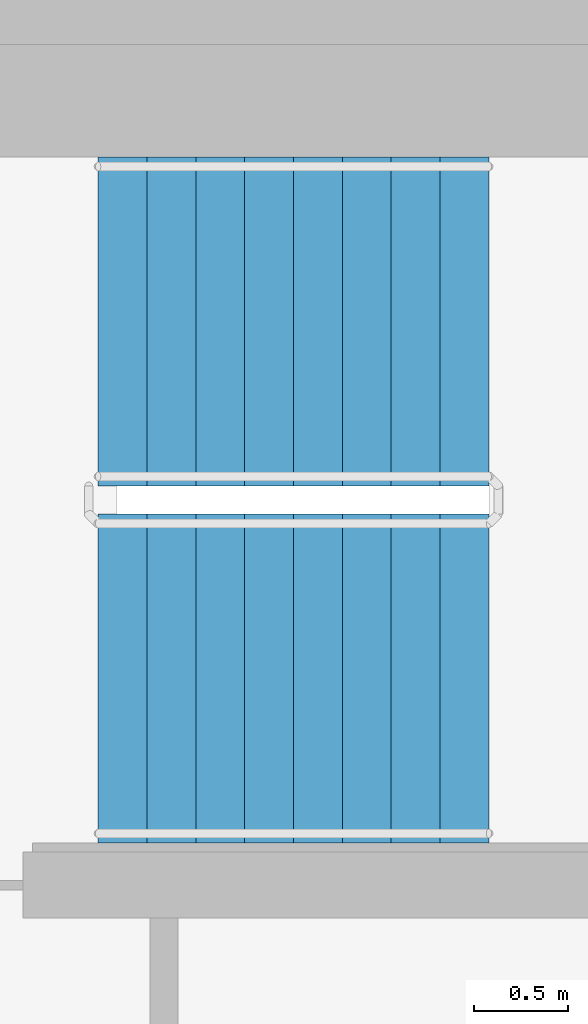
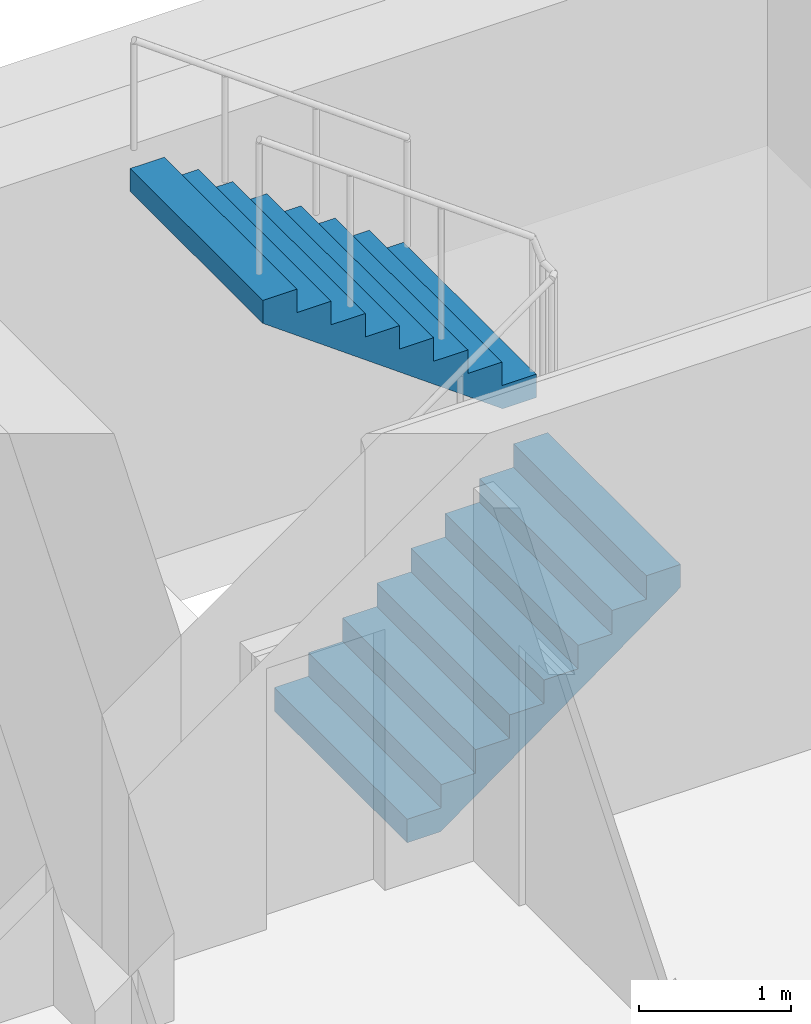
# One storey, part 14 of 19: 2 stair flights, 1 element without a shape of its own.
"""IFC4 building model written with IfcOpenShell, lengths in metres."""

from ifc_helpers import new_model, si_unit, direction, frame, origin, place, context, subcontext, project, spatial, faceted_brep, material, type_object, element, aggregate, save


model = new_model("IFC4")

# Units and contexts
model_context = context("Model", 3, precision=1e-05, world=origin(), true_north=direction((0.0, 1.0)))
body_context = subcontext(model_context, "Body", "Model", "MODEL_VIEW")
ifc_project = project(units=[si_unit("LENGTHUNIT", "METRE"), si_unit("AREAUNIT", "SQUARE_METRE"), si_unit("VOLUMEUNIT", "CUBIC_METRE"), si_unit("PLANEANGLEUNIT", "RADIAN"), si_unit("MASSUNIT", "GRAM", prefix="KILO")], contexts=[model_context])

# Site, building, storey
site_placement = place(None, origin())
site = spatial("IfcSite", under=ifc_project, at=site_placement, CompositionType="ELEMENT")
building_placement = place(site_placement, origin())
building = spatial("IfcBuilding", under=site, at=building_placement, Name="Ipe Terrace Towers", CompositionType="ELEMENT")
storey_placement = place(building_placement, frame((0.0, 0.0, 189.199951171875)))
storey = spatial("IfcBuildingStorey", under=building, at=storey_placement, Name="L52", CompositionType="ELEMENT", Elevation=189.199951171875)

# Stair, stair flights
ifc_material_1 = material(Name="Concrete C30/37", Category="concrete")
stair_type = type_object("IfcStairType", Name="Protected exit stair", PredefinedType="HALF_TURN_STAIR", material=ifc_material_1)
stair_placement = place(storey_placement, origin())
stair = element("IfcStair", 1, at=stair_placement, inside=storey, type_object=stair_type, Name="L52 Exit stair T1-C1", PredefinedType="HALF_TURN_STAIR")
ifc_material_2 = material(Name="Concrete C30/37", Category="concrete")
stair_flight_type = type_object("IfcStairFlightType", Name="Exit stair flight 1750", PredefinedType="STRAIGHT", material=ifc_material_2)
stair_flight_1_placement = place(storey_placement, frame((-26.300048828125, 2.77490234375, 0.0), z_axis=(0.0, 0.0, 1.0), x_axis=(1.0, 0.0, 0.0)))
stair_flight_1 = element("IfcStairFlight", 2, at=stair_flight_1_placement, type_object=stair_flight_type, Name="T1-ST1 flight 1", NumberOfRisers=9, NumberOfTreads=8, PredefinedType="STRAIGHT", RiserHeight=0.188888889, TreadLength=0.26, context=body_context, shape_type="Brep", body=[
    faceted_brep([(0.255126953125, -0.875, 0.0), (2.080078125, -0.875, 1.325927734375), (2.080078125, -0.875, 1.51123046875), (1.820068359375, -0.875, 1.51123046875), (1.820068359375, -0.875, 1.322265625), (1.56005859375, -0.875, 1.322265625), (1.56005859375, -0.875, 1.13330078125), (1.300048828125, -0.875, 1.13330078125), (1.300048828125, -0.875, 0.9443359375), (1.0400390625, -0.875, 0.9443359375), (1.0400390625, -0.875, 0.755615234375), (0.780029296875, -0.875, 0.755615234375), (0.780029296875, -0.875, 0.566650390625), (0.52001953125, -0.875, 0.566650390625), (0.52001953125, -0.875, 0.377685546875), (0.260009765625, -0.875, 0.377685546875), (0.260009765625, -0.875, 0.18896484375), (0.0, -0.875, 0.18896484375), (0.0, -0.875, 0.0), (0.0, 0.875, 0.0), (0.0, 0.875, 0.18896484375), (0.260009765625, 0.875, 0.18896484375), (0.260009765625, 0.875, 0.377685546875), (0.52001953125, 0.875, 0.377685546875), (0.52001953125, 0.875, 0.566650390625), (0.780029296875, 0.875, 0.566650390625), (0.780029296875, 0.875, 0.755615234375), (1.0400390625, 0.875, 0.755615234375), (1.0400390625, 0.875, 0.9443359375), (1.300048828125, 0.875, 0.9443359375), (1.300048828125, 0.875, 1.13330078125), (1.56005859375, 0.875, 1.13330078125), (1.56005859375, 0.875, 1.322265625), (1.820068359375, 0.875, 1.322265625), (1.820068359375, 0.875, 1.51123046875), (2.080078125, 0.875, 1.51123046875), (2.080078125, 0.875, 1.325927734375), (0.255126953125, 0.875, 0.0), (0.0, -0.300048828125, 0.18896484375), (0.0, -0.1201171875, 0.18896484375), (0.0, -0.06005859375, 0.18896484375), (0.0, -0.030029296875, 0.18896484375), (0.0, -0.010009765625, 0.18896484375), (0.0, 0.0, 0.18896484375), (0.0, 0.010009765625, 0.18896484375), (0.0, 0.030029296875, 0.18896484375), (0.0, 0.06005859375, 0.18896484375), (0.0, 0.1201171875, 0.18896484375), (0.0, 0.300048828125, 0.18896484375), (0.0, 0.300048828125, 0.0), (0.0, 0.1201171875, 0.0), (0.0, 0.06005859375, 0.0), (0.0, 0.030029296875, 0.0), (0.0, 0.010009765625, 0.0), (0.0, 0.0, 0.0), (0.0, -0.010009765625, 0.0), (0.0, -0.030029296875, 0.0), (0.0, -0.06005859375, 0.0), (0.0, -0.1201171875, 0.0), (0.0, -0.300048828125, 0.0), (0.260009765625, -0.300048828125, 0.18896484375), (0.260009765625, -0.1201171875, 0.18896484375), (0.260009765625, -0.06005859375, 0.18896484375), (0.260009765625, -0.030029296875, 0.18896484375), (0.260009765625, -0.010009765625, 0.18896484375), (0.260009765625, 0.0, 0.18896484375), (0.260009765625, 0.010009765625, 0.18896484375), (0.260009765625, 0.030029296875, 0.18896484375), (0.260009765625, 0.06005859375, 0.18896484375), (0.260009765625, 0.1201171875, 0.18896484375), (0.260009765625, 0.300048828125, 0.18896484375), (0.260009765625, -0.300048828125, 0.377685546875), (0.260009765625, -0.1201171875, 0.377685546875), (0.260009765625, -0.06005859375, 0.377685546875), (0.260009765625, -0.030029296875, 0.377685546875), (0.260009765625, -0.010009765625, 0.377685546875), (0.260009765625, 0.0, 0.377685546875), (0.260009765625, 0.010009765625, 0.377685546875), (0.260009765625, 0.030029296875, 0.377685546875), (0.260009765625, 0.06005859375, 0.377685546875), (0.260009765625, 0.1201171875, 0.377685546875), (0.260009765625, 0.300048828125, 0.377685546875), (0.52001953125, -0.300048828125, 0.377685546875), (0.52001953125, -0.1201171875, 0.377685546875), (0.52001953125, -0.06005859375, 0.377685546875), (0.52001953125, -0.030029296875, 0.377685546875), (0.52001953125, -0.010009765625, 0.377685546875), (0.52001953125, 0.0, 0.377685546875), (0.52001953125, 0.010009765625, 0.377685546875), (0.52001953125, 0.030029296875, 0.377685546875), (0.52001953125, 0.06005859375, 0.377685546875), (0.52001953125, 0.1201171875, 0.377685546875), (0.52001953125, 0.300048828125, 0.377685546875), (0.52001953125, -0.300048828125, 0.566650390625), (0.52001953125, -0.1201171875, 0.566650390625), (0.52001953125, -0.06005859375, 0.566650390625), (0.52001953125, -0.030029296875, 0.566650390625), (0.52001953125, -0.010009765625, 0.566650390625), (0.52001953125, 0.0, 0.566650390625), (0.52001953125, 0.010009765625, 0.566650390625), (0.52001953125, 0.030029296875, 0.566650390625), (0.52001953125, 0.06005859375, 0.566650390625), (0.52001953125, 0.1201171875, 0.566650390625), (0.52001953125, 0.300048828125, 0.566650390625), (0.780029296875, -0.300048828125, 0.566650390625), (0.780029296875, -0.1201171875, 0.566650390625), (0.780029296875, -0.06005859375, 0.566650390625), (0.780029296875, -0.030029296875, 0.566650390625), (0.780029296875, -0.010009765625, 0.566650390625), (0.780029296875, 0.0, 0.566650390625), (0.780029296875, 0.010009765625, 0.566650390625), (0.780029296875, 0.030029296875, 0.566650390625), (0.780029296875, 0.06005859375, 0.566650390625), (0.780029296875, 0.1201171875, 0.566650390625), (0.780029296875, 0.300048828125, 0.566650390625), (0.780029296875, -0.300048828125, 0.755615234375), (0.780029296875, -0.1201171875, 0.755615234375), (0.780029296875, -0.06005859375, 0.755615234375), (0.780029296875, -0.030029296875, 0.755615234375), (0.780029296875, -0.010009765625, 0.755615234375), (0.780029296875, 0.0, 0.755615234375), (0.780029296875, 0.010009765625, 0.755615234375), (0.780029296875, 0.030029296875, 0.755615234375), (0.780029296875, 0.06005859375, 0.755615234375), (0.780029296875, 0.1201171875, 0.755615234375), (0.780029296875, 0.300048828125, 0.755615234375), (1.0400390625, -0.300048828125, 0.755615234375), (1.0400390625, -0.1201171875, 0.755615234375), (1.0400390625, -0.06005859375, 0.755615234375), (1.0400390625, -0.030029296875, 0.755615234375), (1.0400390625, -0.010009765625, 0.755615234375), (1.0400390625, 0.0, 0.755615234375), (1.0400390625, 0.010009765625, 0.755615234375), (1.0400390625, 0.030029296875, 0.755615234375), (1.0400390625, 0.06005859375, 0.755615234375), (1.0400390625, 0.1201171875, 0.755615234375), (1.0400390625, 0.300048828125, 0.755615234375), (1.0400390625, -0.300048828125, 0.9443359375), (1.0400390625, -0.1201171875, 0.9443359375), (1.0400390625, -0.06005859375, 0.9443359375), (1.0400390625, -0.030029296875, 0.9443359375), (1.0400390625, -0.010009765625, 0.9443359375), (1.0400390625, 0.0, 0.9443359375), (1.0400390625, 0.010009765625, 0.9443359375), (1.0400390625, 0.030029296875, 0.9443359375), (1.0400390625, 0.06005859375, 0.9443359375), (1.0400390625, 0.1201171875, 0.9443359375), (1.0400390625, 0.300048828125, 0.9443359375), (1.300048828125, -0.300048828125, 0.9443359375), (1.300048828125, -0.1201171875, 0.9443359375), (1.300048828125, -0.06005859375, 0.9443359375), (1.300048828125, -0.030029296875, 0.9443359375), (1.300048828125, -0.010009765625, 0.9443359375), (1.300048828125, 0.0, 0.9443359375), (1.300048828125, 0.010009765625, 0.9443359375), (1.300048828125, 0.030029296875, 0.9443359375), (1.300048828125, 0.06005859375, 0.9443359375), (1.300048828125, 0.1201171875, 0.9443359375), (1.300048828125, 0.300048828125, 0.9443359375), (1.300048828125, -0.300048828125, 1.13330078125), (1.300048828125, -0.1201171875, 1.13330078125), (1.300048828125, -0.06005859375, 1.13330078125), (1.300048828125, -0.030029296875, 1.13330078125), (1.300048828125, -0.010009765625, 1.13330078125), (1.300048828125, 0.0, 1.13330078125), (1.300048828125, 0.010009765625, 1.13330078125), (1.300048828125, 0.030029296875, 1.13330078125), (1.300048828125, 0.06005859375, 1.13330078125), (1.300048828125, 0.1201171875, 1.13330078125), (1.300048828125, 0.300048828125, 1.13330078125), (1.56005859375, -0.300048828125, 1.13330078125), (1.56005859375, -0.1201171875, 1.13330078125), (1.56005859375, -0.06005859375, 1.13330078125), (1.56005859375, -0.030029296875, 1.13330078125), (1.56005859375, -0.010009765625, 1.13330078125), (1.56005859375, 0.0, 1.13330078125), (1.56005859375, 0.010009765625, 1.13330078125), (1.56005859375, 0.030029296875, 1.13330078125), (1.56005859375, 0.06005859375, 1.13330078125), (1.56005859375, 0.1201171875, 1.13330078125), (1.56005859375, 0.300048828125, 1.13330078125), (1.56005859375, -0.300048828125, 1.322265625), (1.56005859375, -0.1201171875, 1.322265625), (1.56005859375, -0.06005859375, 1.322265625), (1.56005859375, -0.030029296875, 1.322265625), (1.56005859375, -0.010009765625, 1.322265625), (1.56005859375, 0.0, 1.322265625), (1.56005859375, 0.010009765625, 1.322265625), (1.56005859375, 0.030029296875, 1.322265625), (1.56005859375, 0.06005859375, 1.322265625), (1.56005859375, 0.1201171875, 1.322265625), (1.56005859375, 0.300048828125, 1.322265625), (1.820068359375, -0.300048828125, 1.322265625), (1.820068359375, -0.1201171875, 1.322265625), (1.820068359375, -0.06005859375, 1.322265625), (1.820068359375, -0.030029296875, 1.322265625), (1.820068359375, -0.010009765625, 1.322265625), (1.820068359375, 0.0, 1.322265625), (1.820068359375, 0.010009765625, 1.322265625), (1.820068359375, 0.030029296875, 1.322265625), (1.820068359375, 0.06005859375, 1.322265625), (1.820068359375, 0.1201171875, 1.322265625), (1.820068359375, 0.300048828125, 1.322265625), (1.820068359375, -0.300048828125, 1.51123046875), (1.820068359375, -0.1201171875, 1.51123046875), (1.820068359375, -0.06005859375, 1.51123046875), (1.820068359375, -0.030029296875, 1.51123046875), (1.820068359375, -0.010009765625, 1.51123046875), (1.820068359375, 0.0, 1.51123046875), (1.820068359375, 0.010009765625, 1.51123046875), (1.820068359375, 0.030029296875, 1.51123046875), (1.820068359375, 0.06005859375, 1.51123046875), (1.820068359375, 0.1201171875, 1.51123046875), (1.820068359375, 0.300048828125, 1.51123046875), (2.080078125, -0.300048828125, 1.51123046875), (2.080078125, -0.1201171875, 1.51123046875), (2.080078125, -0.06005859375, 1.51123046875), (2.080078125, -0.030029296875, 1.51123046875), (2.080078125, -0.010009765625, 1.51123046875), (2.080078125, 0.0, 1.51123046875), (2.080078125, 0.010009765625, 1.51123046875), (2.080078125, 0.030029296875, 1.51123046875), (2.080078125, 0.06005859375, 1.51123046875), (2.080078125, 0.1201171875, 1.51123046875), (2.080078125, 0.300048828125, 1.51123046875), (2.080078125, -0.300048828125, 1.325927734375), (2.080078125, -0.1201171875, 1.325927734375), (2.080078125, -0.06005859375, 1.325927734375), (2.080078125, -0.030029296875, 1.325927734375), (2.080078125, -0.010009765625, 1.325927734375), (2.080078125, 0.0, 1.325927734375), (2.080078125, 0.010009765625, 1.325927734375), (2.080078125, 0.030029296875, 1.325927734375), (2.080078125, 0.06005859375, 1.325927734375), (2.080078125, 0.1201171875, 1.325927734375), (2.080078125, 0.300048828125, 1.325927734375), (0.255126953125, -0.300048828125, 0.0), (0.255126953125, -0.1201171875, 0.0), (0.255126953125, -0.06005859375, 0.0), (0.255126953125, -0.030029296875, 0.0), (0.255126953125, -0.010009765625, 0.0), (0.255126953125, 0.0, 0.0), (0.255126953125, 0.010009765625, 0.0), (0.255126953125, 0.030029296875, 0.0), (0.255126953125, 0.06005859375, 0.0), (0.255126953125, 0.1201171875, 0.0), (0.255126953125, 0.300048828125, 0.0)], [[[0, 1, 2, 3, 4, 5, 6, 7, 8, 9, 10, 11, 12, 13, 14, 15, 16, 17, 18]], [[19, 20, 21, 22, 23, 24, 25, 26, 27, 28, 29, 30, 31, 32, 33, 34, 35, 36, 37]], [[17, 38, 39, 40, 41, 42, 43, 44, 45, 46, 47, 48, 20, 19, 49, 50, 51, 52, 53, 54, 55, 56, 57, 58, 59, 18]], [[16, 60, 61, 62, 63, 64, 65, 66, 67, 68, 69, 70, 21, 20, 48, 47, 46, 45, 44, 43, 42, 41, 40, 39, 38, 17]], [[15, 71, 72, 73, 74, 75, 76, 77, 78, 79, 80, 81, 22, 21, 70, 69, 68, 67, 66, 65, 64, 63, 62, 61, 60, 16]], [[14, 82, 83, 84, 85, 86, 87, 88, 89, 90, 91, 92, 23, 22, 81, 80, 79, 78, 77, 76, 75, 74, 73, 72, 71, 15]], [[13, 93, 94, 95, 96, 97, 98, 99, 100, 101, 102, 103, 24, 23, 92, 91, 90, 89, 88, 87, 86, 85, 84, 83, 82, 14]], [[12, 104, 105, 106, 107, 108, 109, 110, 111, 112, 113, 114, 25, 24, 103, 102, 101, 100, 99, 98, 97, 96, 95, 94, 93, 13]], [[11, 115, 116, 117, 118, 119, 120, 121, 122, 123, 124, 125, 26, 25, 114, 113, 112, 111, 110, 109, 108, 107, 106, 105, 104, 12]], [[10, 126, 127, 128, 129, 130, 131, 132, 133, 134, 135, 136, 27, 26, 125, 124, 123, 122, 121, 120, 119, 118, 117, 116, 115, 11]], [[9, 137, 138, 139, 140, 141, 142, 143, 144, 145, 146, 147, 28, 27, 136, 135, 134, 133, 132, 131, 130, 129, 128, 127, 126, 10]], [[8, 148, 149, 150, 151, 152, 153, 154, 155, 156, 157, 158, 29, 28, 147, 146, 145, 144, 143, 142, 141, 140, 139, 138, 137, 9]], [[7, 159, 160, 161, 162, 163, 164, 165, 166, 167, 168, 169, 30, 29, 158, 157, 156, 155, 154, 153, 152, 151, 150, 149, 148, 8]], [[6, 170, 171, 172, 173, 174, 175, 176, 177, 178, 179, 180, 31, 30, 169, 168, 167, 166, 165, 164, 163, 162, 161, 160, 159, 7]], [[5, 181, 182, 183, 184, 185, 186, 187, 188, 189, 190, 191, 32, 31, 180, 179, 178, 177, 176, 175, 174, 173, 172, 171, 170, 6]], [[4, 192, 193, 194, 195, 196, 197, 198, 199, 200, 201, 202, 33, 32, 191, 190, 189, 188, 187, 186, 185, 184, 183, 182, 181, 5]], [[3, 203, 204, 205, 206, 207, 208, 209, 210, 211, 212, 213, 34, 33, 202, 201, 200, 199, 198, 197, 196, 195, 194, 193, 192, 4]], [[2, 214, 215, 216, 217, 218, 219, 220, 221, 222, 223, 224, 35, 34, 213, 212, 211, 210, 209, 208, 207, 206, 205, 204, 203, 3]], [[1, 225, 226, 227, 228, 229, 230, 231, 232, 233, 234, 235, 36, 35, 224, 223, 222, 221, 220, 219, 218, 217, 216, 215, 214, 2]], [[0, 236, 237, 238, 239, 240, 241, 242, 243, 244, 245, 246, 37, 36, 235, 234, 233, 232, 231, 230, 229, 228, 227, 226, 225, 1]], [[18, 59, 58, 57, 56, 55, 54, 53, 52, 51, 50, 49, 19, 37, 246, 245, 244, 243, 242, 241, 240, 239, 238, 237, 236, 0]]]),
])
stair_flight_2_placement = place(storey_placement, frame((-24.219970703125, 4.675048828125, 1.699951171875), z_axis=(0.0, 0.0, 1.0), x_axis=(-1.0, 0.0, 0.0)))
stair_flight_2 = element("IfcStairFlight", 3, at=stair_flight_2_placement, type_object=stair_flight_type, Name="T1-ST1 flight 2", NumberOfRisers=9, NumberOfTreads=8, PredefinedType="STRAIGHT", RiserHeight=0.188888889, TreadLength=0.26, context=body_context, shape_type="Brep", body=[
    faceted_brep([(0.255126953125, -0.875, 0.0), (2.080078125, -0.875, 1.325927734375), (2.080078125, -0.875, 1.51123046875), (1.820068359375, -0.875, 1.51123046875), (1.820068359375, -0.875, 1.322265625), (1.56005859375, -0.875, 1.322265625), (1.56005859375, -0.875, 1.13330078125), (1.300048828125, -0.875, 1.13330078125), (1.300048828125, -0.875, 0.9443359375), (1.0400390625, -0.875, 0.9443359375), (1.0400390625, -0.875, 0.755615234375), (0.780029296875, -0.875, 0.755615234375), (0.780029296875, -0.875, 0.566650390625), (0.52001953125, -0.875, 0.566650390625), (0.52001953125, -0.875, 0.377685546875), (0.260009765625, -0.875, 0.377685546875), (0.260009765625, -0.875, 0.18896484375), (0.0, -0.875, 0.18896484375), (0.0, -0.875, 0.0), (0.0, 0.875, 0.0), (0.0, 0.875, 0.18896484375), (0.260009765625, 0.875, 0.18896484375), (0.260009765625, 0.875, 0.377685546875), (0.52001953125, 0.875, 0.377685546875), (0.52001953125, 0.875, 0.566650390625), (0.780029296875, 0.875, 0.566650390625), (0.780029296875, 0.875, 0.755615234375), (1.0400390625, 0.875, 0.755615234375), (1.0400390625, 0.875, 0.9443359375), (1.300048828125, 0.875, 0.9443359375), (1.300048828125, 0.875, 1.13330078125), (1.56005859375, 0.875, 1.13330078125), (1.56005859375, 0.875, 1.322265625), (1.820068359375, 0.875, 1.322265625), (1.820068359375, 0.875, 1.51123046875), (2.080078125, 0.875, 1.51123046875), (2.080078125, 0.875, 1.325927734375), (0.255126953125, 0.875, 0.0), (0.0, -0.300048828125, 0.18896484375), (0.0, -0.1201171875, 0.18896484375), (0.0, -0.06005859375, 0.18896484375), (0.0, -0.030029296875, 0.18896484375), (0.0, -0.010009765625, 0.18896484375), (0.0, 0.0, 0.18896484375), (0.0, 0.010009765625, 0.18896484375), (0.0, 0.030029296875, 0.18896484375), (0.0, 0.06005859375, 0.18896484375), (0.0, 0.1201171875, 0.18896484375), (0.0, 0.300048828125, 0.18896484375), (0.0, 0.300048828125, 0.0), (0.0, 0.1201171875, 0.0), (0.0, 0.06005859375, 0.0), (0.0, 0.030029296875, 0.0), (0.0, 0.010009765625, 0.0), (0.0, 0.0, 0.0), (0.0, -0.010009765625, 0.0), (0.0, -0.030029296875, 0.0), (0.0, -0.06005859375, 0.0), (0.0, -0.1201171875, 0.0), (0.0, -0.300048828125, 0.0), (0.260009765625, -0.300048828125, 0.18896484375), (0.260009765625, -0.1201171875, 0.18896484375), (0.260009765625, -0.06005859375, 0.18896484375), (0.260009765625, -0.030029296875, 0.18896484375), (0.260009765625, -0.010009765625, 0.18896484375), (0.260009765625, 0.0, 0.18896484375), (0.260009765625, 0.010009765625, 0.18896484375), (0.260009765625, 0.030029296875, 0.18896484375), (0.260009765625, 0.06005859375, 0.18896484375), (0.260009765625, 0.1201171875, 0.18896484375), (0.260009765625, 0.300048828125, 0.18896484375), (0.260009765625, -0.300048828125, 0.377685546875), (0.260009765625, -0.1201171875, 0.377685546875), (0.260009765625, -0.06005859375, 0.377685546875), (0.260009765625, -0.030029296875, 0.377685546875), (0.260009765625, -0.010009765625, 0.377685546875), (0.260009765625, 0.0, 0.377685546875), (0.260009765625, 0.010009765625, 0.377685546875), (0.260009765625, 0.030029296875, 0.377685546875), (0.260009765625, 0.06005859375, 0.377685546875), (0.260009765625, 0.1201171875, 0.377685546875), (0.260009765625, 0.300048828125, 0.377685546875), (0.52001953125, -0.300048828125, 0.377685546875), (0.52001953125, -0.1201171875, 0.377685546875), (0.52001953125, -0.06005859375, 0.377685546875), (0.52001953125, -0.030029296875, 0.377685546875), (0.52001953125, -0.010009765625, 0.377685546875), (0.52001953125, 0.0, 0.377685546875), (0.52001953125, 0.010009765625, 0.377685546875), (0.52001953125, 0.030029296875, 0.377685546875), (0.52001953125, 0.06005859375, 0.377685546875), (0.52001953125, 0.1201171875, 0.377685546875), (0.52001953125, 0.300048828125, 0.377685546875), (0.52001953125, -0.300048828125, 0.566650390625), (0.52001953125, -0.1201171875, 0.566650390625), (0.52001953125, -0.06005859375, 0.566650390625), (0.52001953125, -0.030029296875, 0.566650390625), (0.52001953125, -0.010009765625, 0.566650390625), (0.52001953125, 0.0, 0.566650390625), (0.52001953125, 0.010009765625, 0.566650390625), (0.52001953125, 0.030029296875, 0.566650390625), (0.52001953125, 0.06005859375, 0.566650390625), (0.52001953125, 0.1201171875, 0.566650390625), (0.52001953125, 0.300048828125, 0.566650390625), (0.780029296875, -0.300048828125, 0.566650390625), (0.780029296875, -0.1201171875, 0.566650390625), (0.780029296875, -0.06005859375, 0.566650390625), (0.780029296875, -0.030029296875, 0.566650390625), (0.780029296875, -0.010009765625, 0.566650390625), (0.780029296875, 0.0, 0.566650390625), (0.780029296875, 0.010009765625, 0.566650390625), (0.780029296875, 0.030029296875, 0.566650390625), (0.780029296875, 0.06005859375, 0.566650390625), (0.780029296875, 0.1201171875, 0.566650390625), (0.780029296875, 0.300048828125, 0.566650390625), (0.780029296875, -0.300048828125, 0.755615234375), (0.780029296875, -0.1201171875, 0.755615234375), (0.780029296875, -0.06005859375, 0.755615234375), (0.780029296875, -0.030029296875, 0.755615234375), (0.780029296875, -0.010009765625, 0.755615234375), (0.780029296875, 0.0, 0.755615234375), (0.780029296875, 0.010009765625, 0.755615234375), (0.780029296875, 0.030029296875, 0.755615234375), (0.780029296875, 0.06005859375, 0.755615234375), (0.780029296875, 0.1201171875, 0.755615234375), (0.780029296875, 0.300048828125, 0.755615234375), (1.0400390625, -0.300048828125, 0.755615234375), (1.0400390625, -0.1201171875, 0.755615234375), (1.0400390625, -0.06005859375, 0.755615234375), (1.0400390625, -0.030029296875, 0.755615234375), (1.0400390625, -0.010009765625, 0.755615234375), (1.0400390625, 0.0, 0.755615234375), (1.0400390625, 0.010009765625, 0.755615234375), (1.0400390625, 0.030029296875, 0.755615234375), (1.0400390625, 0.06005859375, 0.755615234375), (1.0400390625, 0.1201171875, 0.755615234375), (1.0400390625, 0.300048828125, 0.755615234375), (1.0400390625, -0.300048828125, 0.9443359375), (1.0400390625, -0.1201171875, 0.9443359375), (1.0400390625, -0.06005859375, 0.9443359375), (1.0400390625, -0.030029296875, 0.9443359375), (1.0400390625, -0.010009765625, 0.9443359375), (1.0400390625, 0.0, 0.9443359375), (1.0400390625, 0.010009765625, 0.9443359375), (1.0400390625, 0.030029296875, 0.9443359375), (1.0400390625, 0.06005859375, 0.9443359375), (1.0400390625, 0.1201171875, 0.9443359375), (1.0400390625, 0.300048828125, 0.9443359375), (1.300048828125, -0.300048828125, 0.9443359375), (1.300048828125, -0.1201171875, 0.9443359375), (1.300048828125, -0.06005859375, 0.9443359375), (1.300048828125, -0.030029296875, 0.9443359375), (1.300048828125, -0.010009765625, 0.9443359375), (1.300048828125, 0.0, 0.9443359375), (1.300048828125, 0.010009765625, 0.9443359375), (1.300048828125, 0.030029296875, 0.9443359375), (1.300048828125, 0.06005859375, 0.9443359375), (1.300048828125, 0.1201171875, 0.9443359375), (1.300048828125, 0.300048828125, 0.9443359375), (1.300048828125, -0.300048828125, 1.13330078125), (1.300048828125, -0.1201171875, 1.13330078125), (1.300048828125, -0.06005859375, 1.13330078125), (1.300048828125, -0.030029296875, 1.13330078125), (1.300048828125, -0.010009765625, 1.13330078125), (1.300048828125, 0.0, 1.13330078125), (1.300048828125, 0.010009765625, 1.13330078125), (1.300048828125, 0.030029296875, 1.13330078125), (1.300048828125, 0.06005859375, 1.13330078125), (1.300048828125, 0.1201171875, 1.13330078125), (1.300048828125, 0.300048828125, 1.13330078125), (1.56005859375, -0.300048828125, 1.13330078125), (1.56005859375, -0.1201171875, 1.13330078125), (1.56005859375, -0.06005859375, 1.13330078125), (1.56005859375, -0.030029296875, 1.13330078125), (1.56005859375, -0.010009765625, 1.13330078125), (1.56005859375, 0.0, 1.13330078125), (1.56005859375, 0.010009765625, 1.13330078125), (1.56005859375, 0.030029296875, 1.13330078125), (1.56005859375, 0.06005859375, 1.13330078125), (1.56005859375, 0.1201171875, 1.13330078125), (1.56005859375, 0.300048828125, 1.13330078125), (1.56005859375, -0.300048828125, 1.322265625), (1.56005859375, -0.1201171875, 1.322265625), (1.56005859375, -0.06005859375, 1.322265625), (1.56005859375, -0.030029296875, 1.322265625), (1.56005859375, -0.010009765625, 1.322265625), (1.56005859375, 0.0, 1.322265625), (1.56005859375, 0.010009765625, 1.322265625), (1.56005859375, 0.030029296875, 1.322265625), (1.56005859375, 0.06005859375, 1.322265625), (1.56005859375, 0.1201171875, 1.322265625), (1.56005859375, 0.300048828125, 1.322265625), (1.820068359375, -0.300048828125, 1.322265625), (1.820068359375, -0.1201171875, 1.322265625), (1.820068359375, -0.06005859375, 1.322265625), (1.820068359375, -0.030029296875, 1.322265625), (1.820068359375, -0.010009765625, 1.322265625), (1.820068359375, 0.0, 1.322265625), (1.820068359375, 0.010009765625, 1.322265625), (1.820068359375, 0.030029296875, 1.322265625), (1.820068359375, 0.06005859375, 1.322265625), (1.820068359375, 0.1201171875, 1.322265625), (1.820068359375, 0.300048828125, 1.322265625), (1.820068359375, -0.300048828125, 1.51123046875), (1.820068359375, -0.1201171875, 1.51123046875), (1.820068359375, -0.06005859375, 1.51123046875), (1.820068359375, -0.030029296875, 1.51123046875), (1.820068359375, -0.010009765625, 1.51123046875), (1.820068359375, 0.0, 1.51123046875), (1.820068359375, 0.010009765625, 1.51123046875), (1.820068359375, 0.030029296875, 1.51123046875), (1.820068359375, 0.06005859375, 1.51123046875), (1.820068359375, 0.1201171875, 1.51123046875), (1.820068359375, 0.300048828125, 1.51123046875), (2.080078125, -0.300048828125, 1.51123046875), (2.080078125, -0.1201171875, 1.51123046875), (2.080078125, -0.06005859375, 1.51123046875), (2.080078125, -0.030029296875, 1.51123046875), (2.080078125, -0.010009765625, 1.51123046875), (2.080078125, 0.0, 1.51123046875), (2.080078125, 0.010009765625, 1.51123046875), (2.080078125, 0.030029296875, 1.51123046875), (2.080078125, 0.06005859375, 1.51123046875), (2.080078125, 0.1201171875, 1.51123046875), (2.080078125, 0.300048828125, 1.51123046875), (2.080078125, -0.300048828125, 1.325927734375), (2.080078125, -0.1201171875, 1.325927734375), (2.080078125, -0.06005859375, 1.325927734375), (2.080078125, -0.030029296875, 1.325927734375), (2.080078125, -0.010009765625, 1.325927734375), (2.080078125, 0.0, 1.325927734375), (2.080078125, 0.010009765625, 1.325927734375), (2.080078125, 0.030029296875, 1.325927734375), (2.080078125, 0.06005859375, 1.325927734375), (2.080078125, 0.1201171875, 1.325927734375), (2.080078125, 0.300048828125, 1.325927734375), (0.255126953125, -0.300048828125, 0.0), (0.255126953125, -0.1201171875, 0.0), (0.255126953125, -0.06005859375, 0.0), (0.255126953125, -0.030029296875, 0.0), (0.255126953125, -0.010009765625, 0.0), (0.255126953125, 0.0, 0.0), (0.255126953125, 0.010009765625, 0.0), (0.255126953125, 0.030029296875, 0.0), (0.255126953125, 0.06005859375, 0.0), (0.255126953125, 0.1201171875, 0.0), (0.255126953125, 0.300048828125, 0.0)], [[[0, 1, 2, 3, 4, 5, 6, 7, 8, 9, 10, 11, 12, 13, 14, 15, 16, 17, 18]], [[19, 20, 21, 22, 23, 24, 25, 26, 27, 28, 29, 30, 31, 32, 33, 34, 35, 36, 37]], [[17, 38, 39, 40, 41, 42, 43, 44, 45, 46, 47, 48, 20, 19, 49, 50, 51, 52, 53, 54, 55, 56, 57, 58, 59, 18]], [[16, 60, 61, 62, 63, 64, 65, 66, 67, 68, 69, 70, 21, 20, 48, 47, 46, 45, 44, 43, 42, 41, 40, 39, 38, 17]], [[15, 71, 72, 73, 74, 75, 76, 77, 78, 79, 80, 81, 22, 21, 70, 69, 68, 67, 66, 65, 64, 63, 62, 61, 60, 16]], [[14, 82, 83, 84, 85, 86, 87, 88, 89, 90, 91, 92, 23, 22, 81, 80, 79, 78, 77, 76, 75, 74, 73, 72, 71, 15]], [[13, 93, 94, 95, 96, 97, 98, 99, 100, 101, 102, 103, 24, 23, 92, 91, 90, 89, 88, 87, 86, 85, 84, 83, 82, 14]], [[12, 104, 105, 106, 107, 108, 109, 110, 111, 112, 113, 114, 25, 24, 103, 102, 101, 100, 99, 98, 97, 96, 95, 94, 93, 13]], [[11, 115, 116, 117, 118, 119, 120, 121, 122, 123, 124, 125, 26, 25, 114, 113, 112, 111, 110, 109, 108, 107, 106, 105, 104, 12]], [[10, 126, 127, 128, 129, 130, 131, 132, 133, 134, 135, 136, 27, 26, 125, 124, 123, 122, 121, 120, 119, 118, 117, 116, 115, 11]], [[9, 137, 138, 139, 140, 141, 142, 143, 144, 145, 146, 147, 28, 27, 136, 135, 134, 133, 132, 131, 130, 129, 128, 127, 126, 10]], [[8, 148, 149, 150, 151, 152, 153, 154, 155, 156, 157, 158, 29, 28, 147, 146, 145, 144, 143, 142, 141, 140, 139, 138, 137, 9]], [[7, 159, 160, 161, 162, 163, 164, 165, 166, 167, 168, 169, 30, 29, 158, 157, 156, 155, 154, 153, 152, 151, 150, 149, 148, 8]], [[6, 170, 171, 172, 173, 174, 175, 176, 177, 178, 179, 180, 31, 30, 169, 168, 167, 166, 165, 164, 163, 162, 161, 160, 159, 7]], [[5, 181, 182, 183, 184, 185, 186, 187, 188, 189, 190, 191, 32, 31, 180, 179, 178, 177, 176, 175, 174, 173, 172, 171, 170, 6]], [[4, 192, 193, 194, 195, 196, 197, 198, 199, 200, 201, 202, 33, 32, 191, 190, 189, 188, 187, 186, 185, 184, 183, 182, 181, 5]], [[3, 203, 204, 205, 206, 207, 208, 209, 210, 211, 212, 213, 34, 33, 202, 201, 200, 199, 198, 197, 196, 195, 194, 193, 192, 4]], [[2, 214, 215, 216, 217, 218, 219, 220, 221, 222, 223, 224, 35, 34, 213, 212, 211, 210, 209, 208, 207, 206, 205, 204, 203, 3]], [[1, 225, 226, 227, 228, 229, 230, 231, 232, 233, 234, 235, 36, 35, 224, 223, 222, 221, 220, 219, 218, 217, 216, 215, 214, 2]], [[0, 236, 237, 238, 239, 240, 241, 242, 243, 244, 245, 246, 37, 36, 235, 234, 233, 232, 231, 230, 229, 228, 227, 226, 225, 1]], [[18, 59, 58, 57, 56, 55, 54, 53, 52, 51, 50, 49, 19, 37, 246, 245, 244, 243, 242, 241, 240, 239, 238, 237, 236, 0]]]),
])
aggregate(stair, [stair_flight_1, stair_flight_2])

save(model, "model.ifc")
